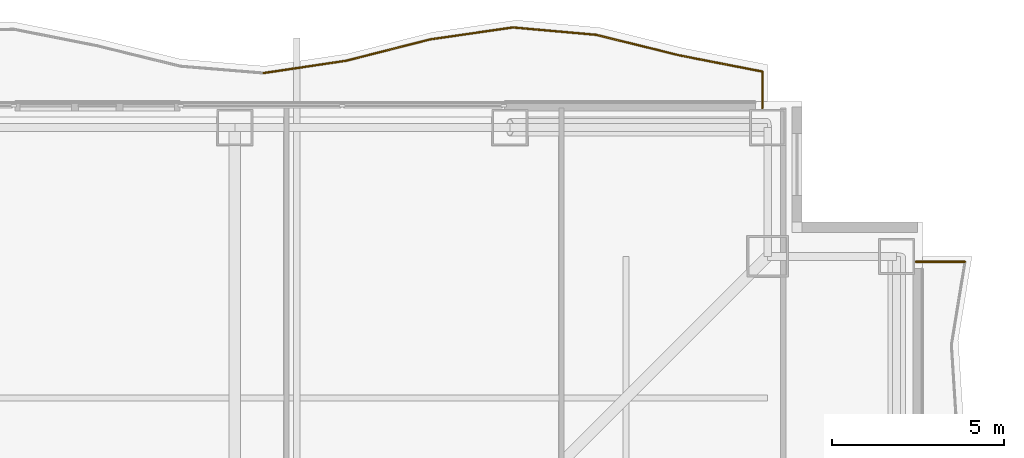
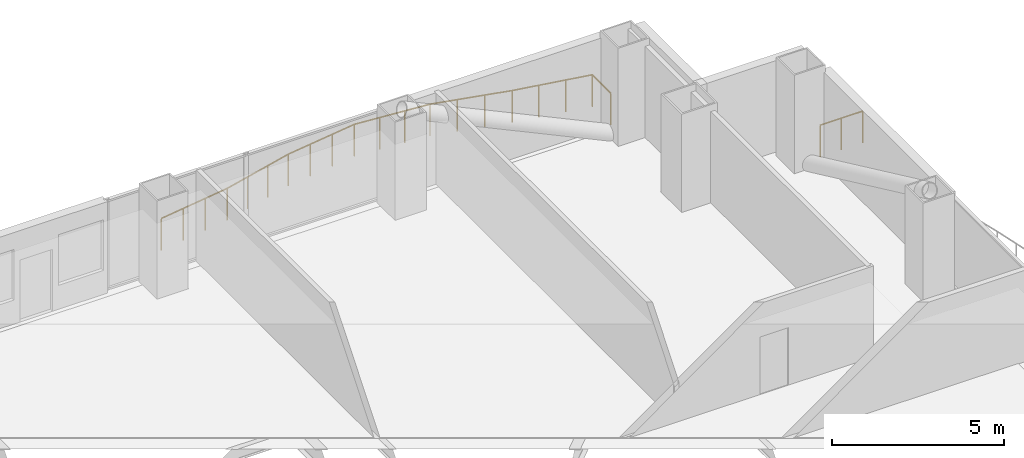
# One storey, part 24 of 24: 8 railings.
"""IFC4 building model written with IfcOpenShell, lengths in metres."""

from ifc_helpers import new_model, si_unit, direction, frame, origin, origin_2d, place, context, subcontext, project, spatial, circle, extrude, material, type_object, element, save


model = new_model("IFC4")

# Units and contexts
model_context = context("Model", 3, precision=1e-05, world=origin(), true_north=direction((0.0, 1.0)))
body_context = subcontext(model_context, "Body", "Model", "MODEL_VIEW")
ifc_project = project(units=[si_unit("LENGTHUNIT", "METRE"), si_unit("AREAUNIT", "SQUARE_METRE"), si_unit("VOLUMEUNIT", "CUBIC_METRE"), si_unit("PLANEANGLEUNIT", "RADIAN"), si_unit("MASSUNIT", "GRAM", prefix="KILO")], contexts=[model_context])

# Site, building, storey
site_placement = place(None, origin())
site = spatial("IfcSite", under=ifc_project, at=site_placement, CompositionType="ELEMENT")
building_placement = place(site_placement, origin())
building = spatial("IfcBuilding", under=site, at=building_placement, Name="Trevonay Congress Spire", CompositionType="ELEMENT")
storey_placement = place(building_placement, frame((0.0, 0.0, 55.0)))
storey = spatial("IfcBuildingStorey", under=building, at=storey_placement, Name="L13", CompositionType="ELEMENT", Elevation=55.0)

# Railings
ifc_material = material(Name="Pale Anodised Aluminium EN AW-6063-T6", Category="aluminium")
railing_type = type_object("IfcRailingType", Name="RAL-EXT-GUARD-115", PredefinedType="GUARDRAIL", material=ifc_material)
railing_1_placement = place(storey_placement, frame((19.343994140625, 23.80810546875, 0.0)))
element("IfcRailing", 1, at=railing_1_placement, inside=storey, type_object=railing_type, Name="L13 perimeter safety guard GRD-L13-WAV-N-17", PredefinedType="GUARDRAIL", context=body_context, shape_type="SweptSolid", body=[
    extrude(circle(Radius=0.02392578125, at=origin_2d()), frame((0.0, 0.0, 1.1259765625), z_axis=(0.0, 1.0, 0.0), x_axis=(-1.0, 0.0, 0.0)), (0.0, 0.0, 1.0), 1.06689453125),
    extrude(circle(Radius=0.02099609375, at=origin_2d()), origin(), (0.0, 0.0, 1.0), 1.101806640625),
    extrude(circle(Radius=0.02099609375, at=origin_2d()), frame((0.0, 1.06689453125, 0.0)), (0.0, 0.0, 1.0), 1.101806640625),
])
railing_2_placement = place(storey_placement, frame((19.343994140625, 24.875, 0.0)))
element("IfcRailing", 2, at=railing_2_placement, inside=storey, type_object=railing_type, Name="L13 perimeter safety guard GRD-L13-WAV-N-18", PredefinedType="GUARDRAIL", context=body_context, shape_type="SweptSolid", body=[
    extrude(circle(Radius=0.02392578125, at=origin_2d()), frame((0.0, 0.0, 1.1259765625), z_axis=(-0.981406453932, 0.191941064344, 0.0), x_axis=(-0.191941064344, -0.981406453932, 0.0)), (0.0, 0.0, 1.0), 2.4638671875),
    extrude(circle(Radius=0.02099609375, at=origin_2d()), origin(), (0.0, 0.0, 1.0), 1.101806640625),
    extrude(circle(Radius=0.02099609375, at=origin_2d()), frame((-0.805908203125, 0.15771484375, 0.0)), (0.0, 0.0, 1.0), 1.101806640625),
    extrude(circle(Radius=0.02099609375, at=origin_2d()), frame((-1.612060546875, 0.315185546875, 0.0)), (0.0, 0.0, 1.0), 1.101806640625),
    extrude(circle(Radius=0.02099609375, at=origin_2d()), frame((-2.41796875, 0.472900390625, 0.0)), (0.0, 0.0, 1.0), 1.101806640625),
])
railing_3_placement = place(storey_placement, frame((16.926025390625, 25.347900390625, 0.0)))
element("IfcRailing", 3, at=railing_3_placement, inside=storey, type_object=railing_type, Name="L13 perimeter safety guard GRD-L13-WAV-N-19", PredefinedType="GUARDRAIL", context=body_context, shape_type="SweptSolid", body=[
    extrude(circle(Radius=0.02392578125, at=origin_2d()), frame((0.0, 0.0, 1.1259765625), z_axis=(-0.970921694417, 0.239397291778, 0.0), x_axis=(-0.239397291778, -0.970921694417, 0.0)), (0.0, 0.0, 1.0), 2.490478515625),
    extrude(circle(Radius=0.02099609375, at=origin_2d()), origin(), (0.0, 0.0, 1.0), 1.101806640625),
    extrude(circle(Radius=0.02099609375, at=origin_2d()), frame((-0.805908203125, 0.19873046875, 0.0)), (0.0, 0.0, 1.0), 1.101806640625),
    extrude(circle(Radius=0.02099609375, at=origin_2d()), frame((-1.612060546875, 0.3974609375, 0.0)), (0.0, 0.0, 1.0), 1.101806640625),
    extrude(circle(Radius=0.02099609375, at=origin_2d()), frame((-2.41796875, 0.59619140625, 0.0)), (0.0, 0.0, 1.0), 1.101806640625),
])
railing_4_placement = place(storey_placement, frame((14.508056640625, 25.944091796875, 0.0)))
element("IfcRailing", 4, at=railing_4_placement, inside=storey, type_object=railing_type, Name="L13 perimeter safety guard GRD-L13-WAV-N-20", PredefinedType="GUARDRAIL", context=body_context, shape_type="SweptSolid", body=[
    extrude(circle(Radius=0.02392578125, at=origin_2d()), frame((0.0, 0.0, 1.1259765625), z_axis=(-0.996075793749, 0.088504311238, 0.0), x_axis=(-0.088504311238, -0.996075793749, 0.0)), (0.0, 0.0, 1.0), 2.427490234375),
    extrude(circle(Radius=0.02099609375, at=origin_2d()), origin(), (0.0, 0.0, 1.0), 1.101806640625),
    extrude(circle(Radius=0.02099609375, at=origin_2d()), frame((-0.805908203125, 0.071533203125, 0.0)), (0.0, 0.0, 1.0), 1.101806640625),
    extrude(circle(Radius=0.02099609375, at=origin_2d()), frame((-1.612060546875, 0.143310546875, 0.0)), (0.0, 0.0, 1.0), 1.101806640625),
    extrude(circle(Radius=0.02099609375, at=origin_2d()), frame((-2.41796875, 0.21484375, 0.0)), (0.0, 0.0, 1.0), 1.101806640625),
])
railing_5_placement = place(storey_placement, frame((12.090087890625, 26.158935546875, 0.0)))
element("IfcRailing", 5, at=railing_5_placement, inside=storey, type_object=railing_type, Name="L13 perimeter safety guard GRD-L13-WAV-N-21", PredefinedType="GUARDRAIL", context=body_context, shape_type="SweptSolid", body=[
    extrude(circle(Radius=0.02392578125, at=origin_2d()), frame((0.0, 0.0, 1.1259765625), z_axis=(-0.9897506545, -0.142806309095, 0.0), x_axis=(0.142806309095, -0.9897506545, 0.0)), (0.0, 0.0, 1.0), 2.443115234375),
    extrude(circle(Radius=0.02099609375, at=origin_2d()), origin(), (0.0, 0.0, 1.0), 1.101806640625),
    extrude(circle(Radius=0.02099609375, at=origin_2d()), frame((-0.805908203125, -0.1162109375, 0.0)), (0.0, 0.0, 1.0), 1.101806640625),
    extrude(circle(Radius=0.02099609375, at=origin_2d()), frame((-1.612060546875, -0.232666015625, 0.0)), (0.0, 0.0, 1.0), 1.101806640625),
    extrude(circle(Radius=0.02099609375, at=origin_2d()), frame((-2.41796875, -0.348876953125, 0.0)), (0.0, 0.0, 1.0), 1.101806640625),
])
railing_6_placement = place(storey_placement, frame((9.672119140625, 25.81005859375, 0.0)))
element("IfcRailing", 6, at=railing_6_placement, inside=storey, type_object=railing_type, Name="L13 perimeter safety guard GRD-L13-WAV-N-22", PredefinedType="GUARDRAIL", context=body_context, shape_type="SweptSolid", body=[
    extrude(circle(Radius=0.02392578125, at=origin_2d()), frame((0.0, 0.0, 1.1259765625), z_axis=(-0.968963094059, -0.24720542541, 0.0), x_axis=(0.24720542541, -0.968963094059, 0.0)), (0.0, 0.0, 1.0), 2.49560546875),
    extrude(circle(Radius=0.02099609375, at=origin_2d()), origin(), (0.0, 0.0, 1.0), 1.101806640625),
    extrude(circle(Radius=0.02099609375, at=origin_2d()), frame((-0.80615234375, -0.20556640625, 0.0)), (0.0, 0.0, 1.0), 1.101806640625),
    extrude(circle(Radius=0.02099609375, at=origin_2d()), frame((-1.612060546875, -0.411376953125, 0.0)), (0.0, 0.0, 1.0), 1.101806640625),
    extrude(circle(Radius=0.02099609375, at=origin_2d()), frame((-2.418212890625, -0.616943359375, 0.0)), (0.0, 0.0, 1.0), 1.101806640625),
])
railing_7_placement = place(storey_placement, frame((7.25390625, 25.193115234375, 0.0)))
element("IfcRailing", 7, at=railing_7_placement, inside=storey, type_object=railing_type, Name="L13 perimeter safety guard GRD-L13-WAV-N-23", PredefinedType="GUARDRAIL", context=body_context, shape_type="SweptSolid", body=[
    extrude(circle(Radius=0.02392578125, at=origin_2d()), frame((0.0, 0.0, 1.1259765625), z_axis=(-0.98903283066, -0.147695835677, 0.0), x_axis=(0.147695835677, -0.98903283066, 0.0)), (0.0, 0.0, 1.0), 2.44482421875),
    extrude(circle(Radius=0.02099609375, at=origin_2d()), origin(), (0.0, 0.0, 1.0), 1.101806640625),
    extrude(circle(Radius=0.02099609375, at=origin_2d()), frame((-0.805908203125, -0.120361328125, 0.0)), (0.0, 0.0, 1.0), 1.101806640625),
    extrude(circle(Radius=0.02099609375, at=origin_2d()), frame((-1.612060546875, -0.24072265625, 0.0)), (0.0, 0.0, 1.0), 1.101806640625),
    extrude(circle(Radius=0.02099609375, at=origin_2d()), frame((-2.41796875, -0.361083984375, 0.0)), (0.0, 0.0, 1.0), 1.101806640625),
])
railing_8_placement = place(storey_placement, frame((25.238037109375, 19.343994140625, 0.0)))
element("IfcRailing", 8, at=railing_8_placement, inside=storey, type_object=railing_type, Name="L13 perimeter safety guard GRD-L13-WAV-E-17", PredefinedType="GUARDRAIL", context=body_context, shape_type="SweptSolid", body=[
    extrude(circle(Radius=0.02392578125, at=origin_2d()), frame((0.0, 0.0, 1.1259765625), z_axis=(-1.0, 0.0, 0.0), x_axis=(0.0, -1.0, 0.0)), (0.0, 0.0, 1.0), 1.429931640625),
    extrude(circle(Radius=0.02099609375, at=origin_2d()), origin(), (0.0, 0.0, 1.0), 1.101806640625),
    extrude(circle(Radius=0.02099609375, at=origin_2d()), frame((-0.71484375, 0.0, 0.0)), (0.0, 0.0, 1.0), 1.101806640625),
    extrude(circle(Radius=0.02099609375, at=origin_2d()), frame((-1.429931640625, 0.0, 0.0)), (0.0, 0.0, 1.0), 1.101806640625),
])

save(model, "model.ifc")
